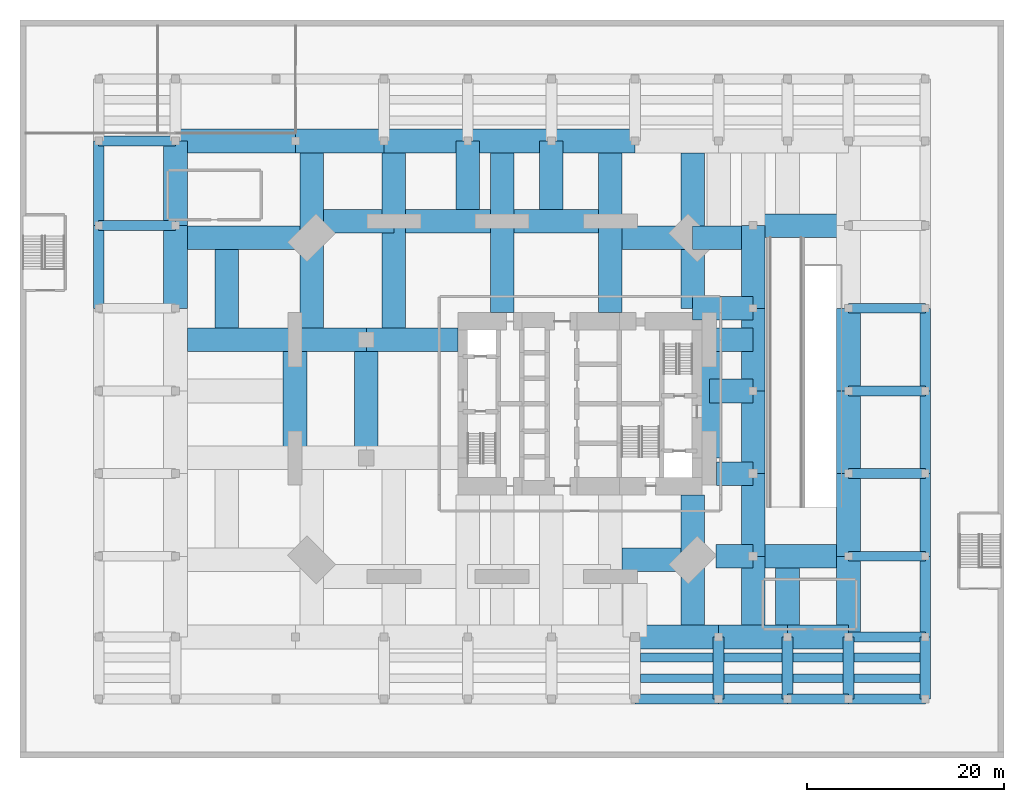
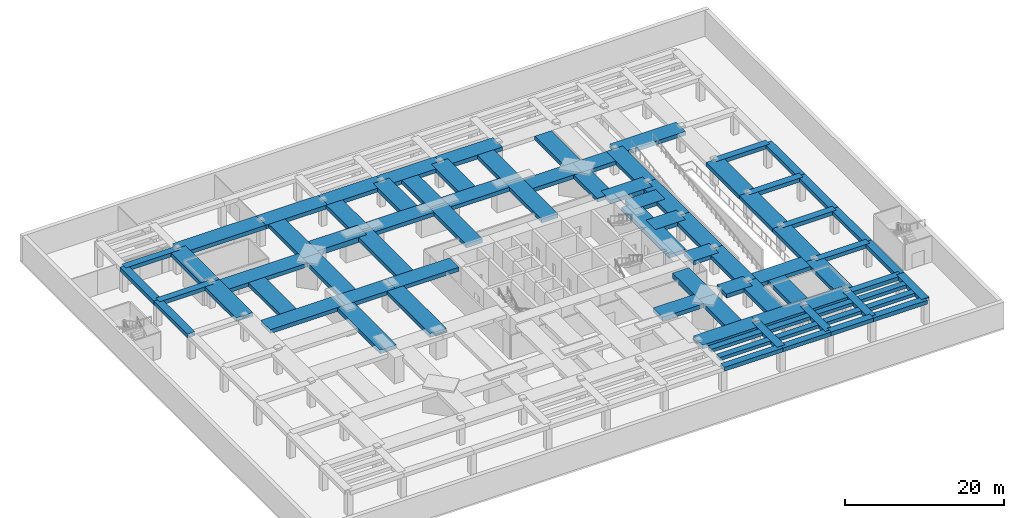
# One storey, part 2 of 10: 84 beams.
"""IFC4 building model written with IfcOpenShell, lengths in metres."""

from ifc_helpers import new_model, si_unit, direction, frame, origin, origin_2d, place, context, subcontext, project, spatial, rectangle, extrude, material, material_profile, profile_set, type_object, element, save


model = new_model("IFC4")

# Units and contexts
model_context = context("Model", 3, precision=1e-05, world=origin(), true_north=direction((0.0, 1.0)))
body_context = subcontext(model_context, "Body", "Model", "MODEL_VIEW")
ifc_project = project(units=[si_unit("LENGTHUNIT", "METRE"), si_unit("AREAUNIT", "SQUARE_METRE"), si_unit("VOLUMEUNIT", "CUBIC_METRE"), si_unit("PLANEANGLEUNIT", "RADIAN"), si_unit("MASSUNIT", "GRAM", prefix="KILO")], contexts=[model_context])

# Site, building, storey
site_placement = place(None, origin())
site = spatial("IfcSite", under=ifc_project, at=site_placement, CompositionType="ELEMENT")
building_placement = place(site_placement, origin())
building = spatial("IfcBuilding", under=site, at=building_placement, Name="Jalousie Tower", CompositionType="ELEMENT")
storey_placement = place(building_placement, frame((0.0, 0.0, -4.0)))
storey = spatial("IfcBuildingStorey", under=building, at=storey_placement, Name="B1", CompositionType="ELEMENT", Elevation=-4.0)

# Beams
ifc_material_1 = material(Name="Concrete f'c 40 MPa", Category="concrete")
ifc_material_profile_1 = material_profile(ifc_material_1, rectangle(XDim=1.0, YDim=0.60009765625, at=origin_2d()), Name="RC 1000x600")
ifc_profile_set_1 = profile_set([ifc_material_profile_1], Name="Concrete f'c 40 MPa")
beam_type_1 = type_object("IfcBeamType", Name="RC BEAM 1000x600", PredefinedType="BEAM", material=ifc_profile_set_1)
for number, where, z_axis, x_axis, name in (
    (1, (-17.0, 36.60009765625, 3.419921875), (1.0, 0.0, 0.0), (0.0, 1.0, 0.0), "Girder under L00 1-7 east-west"),
    (2, (-17.0, 45.199951171875, 3.419921875), (1.0, 0.0, 0.0), (0.0, 1.0, 0.0), "Girder under L00 1-8 east-west"),
):
    element("IfcBeam", number, at=place(storey_placement, frame(where, z_axis=z_axis, x_axis=x_axis)), inside=storey, type_object=beam_type_1, Name=name, PredefinedType="BEAM", context=body_context, shape_type="SweptSolid", body=[
        extrude(rectangle(XDim=1.0, YDim=0.60009765625, at=origin_2d()), origin(), (0.0, 0.0, 1.0), 7.800048828125),
    ])
beam_1_placement = place(storey_placement, frame((37.5, -11.5, 3.419921875), z_axis=(1.0, 0.0, 0.0), x_axis=(0.0, 1.0, 0.0)))
element("IfcBeam", 3, at=beam_1_placement, inside=storey, type_object=beam_type_1, Name="Girder under L00 7-1 east-west", PredefinedType="BEAM", context=body_context, shape_type="SweptSolid", body=[
    extrude(rectangle(XDim=1.0, YDim=0.60009765625, at=origin_2d()), origin(), (0.0, 0.0, 1.0), 8.5),
])
beam_2_placement = place(storey_placement, frame((46.0, -11.5, 3.419921875), z_axis=(1.0, 0.0, 0.0), x_axis=(0.0, 1.0, 0.0)))
element("IfcBeam", 4, at=beam_2_placement, inside=storey, type_object=beam_type_1, Name="Girder under L00 8-1 east-west", PredefinedType="BEAM", context=body_context, shape_type="SweptSolid", body=[
    extrude(rectangle(XDim=1.0, YDim=0.60009765625, at=origin_2d()), origin(), (0.0, 0.0, 1.0), 7.0),
])
beam_3_placement = place(storey_placement, frame((53.0, -11.5, 3.419921875), z_axis=(1.0, 0.0, 0.0), x_axis=(0.0, 1.0, 0.0)))
element("IfcBeam", 5, at=beam_3_placement, inside=storey, type_object=beam_type_1, Name="Girder under L00 9-1 east-west", PredefinedType="BEAM", context=body_context, shape_type="SweptSolid", body=[
    extrude(rectangle(XDim=1.0, YDim=0.60009765625, at=origin_2d()), origin(), (0.0, 0.0, 1.0), 6.199951171875),
])
for number, where, z_axis, x_axis, name in (
    (6, (59.199951171875, -11.5, 3.419921875), (1.0, 0.0, 0.0), (0.0, 1.0, 0.0), "Girder under L00 10-1 east-west"),
    (7, (59.199951171875, -5.199951171875, 3.419921875), (1.0, 0.0, 0.0), (0.0, 1.0, 0.0), "Girder under L00 10-2 east-west"),
    (8, (59.199951171875, 3.0, 3.419921875), (1.0, 0.0, 0.0), (0.0, 1.0, 0.0), "Girder under L00 10-3 east-west"),
    (9, (59.199951171875, 11.39990234375, 3.419921875), (1.0, 0.0, 0.0), (0.0, 1.0, 0.0), "Girder under L00 10-4 east-west"),
    (10, (59.199951171875, 19.800048828125, 3.419921875), (1.0, 0.0, 0.0), (0.0, 1.0, 0.0), "Girder under L00 10-5 east-west"),
    (11, (59.199951171875, 28.199951171875, 3.419921875), (1.0, 0.0, 0.0), (0.0, 1.0, 0.0), "Girder under L00 10-6 east-west"),
):
    element("IfcBeam", number, at=place(storey_placement, frame(where, z_axis=z_axis, x_axis=x_axis)), inside=storey, type_object=beam_type_1, Name=name, PredefinedType="BEAM", context=body_context, shape_type="SweptSolid", body=[
        extrude(rectangle(XDim=1.0, YDim=0.60009765625, at=origin_2d()), origin(), (0.0, 0.0, 1.0), 7.800048828125),
    ])
ifc_material_2 = material(Name="Concrete f'c 40 MPa", Category="concrete")
ifc_material_profile_2 = material_profile(ifc_material_2, rectangle(XDim=1.10009765625, YDim=0.60009765625, at=origin_2d()), Name="RC 1100x600")
ifc_profile_set_2 = profile_set([ifc_material_profile_2], Name="Concrete f'c 40 MPa")
beam_type_2 = type_object("IfcBeamType", Name="RC BEAM 1100x600", PredefinedType="BEAM", material=ifc_profile_set_2)
beam_4_placement = place(storey_placement, frame((-17.0, 28.199951171875, 3.419921875), z_axis=(0.0, 1.0, 0.0), x_axis=(-1.0, 0.0, 0.0)))
element("IfcBeam", 12, at=beam_4_placement, inside=storey, type_object=beam_type_2, Name="Girder under L00 1-6 north-south", PredefinedType="BEAM", context=body_context, shape_type="SweptSolid", body=[
    extrude(rectangle(XDim=1.10009765625, YDim=0.60009765625, at=origin_2d()), origin(), (0.0, 0.0, 1.0), 8.400146484375),
])
beam_5_placement = place(storey_placement, frame((-17.0, 36.60009765625, 3.419921875), z_axis=(0.0, 1.0, 0.0), x_axis=(-1.0, 0.0, 0.0)))
element("IfcBeam", 13, at=beam_5_placement, inside=storey, type_object=beam_type_2, Name="Girder under L00 1-7 north-south", PredefinedType="BEAM", context=body_context, shape_type="SweptSolid", body=[
    extrude(rectangle(XDim=1.10009765625, YDim=0.60009765625, at=origin_2d()), origin(), (0.0, 0.0, 1.0), 8.599853515625),
])
for number, where, z_axis, x_axis, name in (
    (14, (46.0, -11.5, 3.419921875), (0.0, 1.0, 0.0), (-1.0, 0.0, 0.0), "Girder under L00 8-1 north-south"),
    (15, (53.0, -11.5, 3.419921875), (0.0, 1.0, 0.0), (-1.0, 0.0, 0.0), "Girder under L00 9-1 north-south"),
    (16, (59.199951171875, -11.5, 3.419921875), (0.0, 1.0, 0.0), (-1.0, 0.0, 0.0), "Girder under L00 10-1 north-south"),
    (17, (67.0, -11.5, 3.419921875), (0.0, 1.0, 0.0), (-1.0, 0.0, 0.0), "Girder under L00 11-1 north-south"),
):
    element("IfcBeam", number, at=place(storey_placement, frame(where, z_axis=z_axis, x_axis=x_axis)), inside=storey, type_object=beam_type_2, Name=name, PredefinedType="BEAM", context=body_context, shape_type="SweptSolid", body=[
        extrude(rectangle(XDim=1.10009765625, YDim=0.60009765625, at=origin_2d()), origin(), (0.0, 0.0, 1.0), 6.300048828125),
    ])
beam_6_placement = place(storey_placement, frame((67.0, -5.199951171875, 3.419921875), z_axis=(0.0, 1.0, 0.0), x_axis=(-1.0, 0.0, 0.0)))
element("IfcBeam", 18, at=beam_6_placement, inside=storey, type_object=beam_type_2, Name="Girder under L00 11-2 north-south", PredefinedType="BEAM", context=body_context, shape_type="SweptSolid", body=[
    extrude(rectangle(XDim=1.10009765625, YDim=0.60009765625, at=origin_2d()), origin(), (0.0, 0.0, 1.0), 8.199951171875),
])
beam_7_placement = place(storey_placement, frame((67.0, 3.0, 3.419921875), z_axis=(0.0, 1.0, 0.0), x_axis=(-1.0, 0.0, 0.0)))
element("IfcBeam", 19, at=beam_7_placement, inside=storey, type_object=beam_type_2, Name="Girder under L00 11-3 north-south", PredefinedType="BEAM", context=body_context, shape_type="SweptSolid", body=[
    extrude(rectangle(XDim=1.10009765625, YDim=0.60009765625, at=origin_2d()), origin(), (0.0, 0.0, 1.0), 8.39990234375),
])
beam_8_placement = place(storey_placement, frame((67.0, 11.39990234375, 3.419921875), z_axis=(0.0, 1.0, 0.0), x_axis=(-1.0, 0.0, 0.0)))
element("IfcBeam", 20, at=beam_8_placement, inside=storey, type_object=beam_type_2, Name="Girder under L00 11-4 north-south", PredefinedType="BEAM", context=body_context, shape_type="SweptSolid", body=[
    extrude(rectangle(XDim=1.10009765625, YDim=0.60009765625, at=origin_2d()), origin(), (0.0, 0.0, 1.0), 8.400146484375),
])
beam_9_placement = place(storey_placement, frame((67.0, 19.800048828125, 3.419921875), z_axis=(0.0, 1.0, 0.0), x_axis=(-1.0, 0.0, 0.0)))
element("IfcBeam", 21, at=beam_9_placement, inside=storey, type_object=beam_type_2, Name="Girder under L00 11-5 north-south", PredefinedType="BEAM", context=body_context, shape_type="SweptSolid", body=[
    extrude(rectangle(XDim=1.10009765625, YDim=0.60009765625, at=origin_2d()), origin(), (0.0, 0.0, 1.0), 8.39990234375),
])
ifc_material_3 = material(Name="Concrete f'c 40 MPa", Category="concrete")
ifc_material_profile_3 = material_profile(ifc_material_3, rectangle(XDim=2.39990234375, YDim=0.60009765625, at=origin_2d()), Name="RC 2400x600")
ifc_profile_set_3 = profile_set([ifc_material_profile_3], Name="Concrete f'c 40 MPa")
beam_type_3 = type_object("IfcBeamType", Name="RC BEAM 2400x600", PredefinedType="BEAM", material=ifc_profile_set_3)
beam_10_placement = place(storey_placement, frame((45.050048828125, 13.0, 3.419921875), z_axis=(0.0, 1.0, 0.0), x_axis=(-1.0, 0.0, 0.0)))
element("IfcBeam", 22, at=beam_10_placement, inside=storey, type_object=beam_type_3, Name="Floor band beam under L00", PredefinedType="BEAM", context=body_context, shape_type="SweptSolid", body=[
    extrude(rectangle(XDim=2.39990234375, YDim=0.60009765625, at=origin_2d()), origin(), (0.0, 0.0, 1.0), 12.0),
])
for number, where, z_axis, x_axis, name in (
    (23, (35.0, 37.050048828125, 3.419921875), (-1.0, 0.0, 0.0), (0.0, -1.0, 0.0), "Floor band beam under L00"),
    (24, (24.0, 37.050048828125, 3.419921875), (-1.0, 0.0, 0.0), (0.0, -1.0, 0.0), "Floor band beam under L00"),
):
    element("IfcBeam", number, at=place(storey_placement, frame(where, z_axis=z_axis, x_axis=x_axis)), inside=storey, type_object=beam_type_3, Name=name, PredefinedType="BEAM", context=body_context, shape_type="SweptSolid", body=[
        extrude(rectangle(XDim=2.39990234375, YDim=0.60009765625, at=origin_2d()), origin(), (0.0, 0.0, 1.0), 11.0),
    ])
beam_11_placement = place(storey_placement, frame((2.949951171875, 25.0, 3.419921875), z_axis=(0.0, -1.0, 0.0), x_axis=(1.0, 0.0, 0.0)))
element("IfcBeam", 25, at=beam_11_placement, inside=storey, type_object=beam_type_3, Name="Floor band beam under L00", PredefinedType="BEAM", context=body_context, shape_type="SweptSolid", body=[
    extrude(rectangle(XDim=2.39990234375, YDim=0.60009765625, at=origin_2d()), origin(), (0.0, 0.0, 1.0), 12.0),
])
beam_12_placement = place(storey_placement, frame((-9.199951171875, 28.199951171875, 3.419921875), z_axis=(0.0, 1.0, 0.0), x_axis=(-1.0, 0.0, 0.0)))
element("IfcBeam", 26, at=beam_12_placement, inside=storey, type_object=beam_type_3, Name="Floor band beam under L00", PredefinedType="BEAM", context=body_context, shape_type="SweptSolid", body=[
    extrude(rectangle(XDim=2.39990234375, YDim=0.60009765625, at=origin_2d()), origin(), (0.0, 0.0, 1.0), 8.400146484375),
])
beam_13_placement = place(storey_placement, frame((-9.199951171875, 36.60009765625, 3.419921875), z_axis=(0.0, 1.0, 0.0), x_axis=(-1.0, 0.0, 0.0)))
element("IfcBeam", 27, at=beam_13_placement, inside=storey, type_object=beam_type_3, Name="Floor band beam under L00", PredefinedType="BEAM", context=body_context, shape_type="SweptSolid", body=[
    extrude(rectangle(XDim=2.39990234375, YDim=0.60009765625, at=origin_2d()), origin(), (0.0, 0.0, 1.0), 8.599853515625),
])
beam_14_placement = place(storey_placement, frame((-9.199951171875, 45.199951171875, 3.419921875), z_axis=(1.0, 0.0, 0.0), x_axis=(0.0, 1.0, 0.0)))
element("IfcBeam", 28, at=beam_14_placement, inside=storey, type_object=beam_type_3, Name="Floor band beam under L00", PredefinedType="BEAM", context=body_context, shape_type="SweptSolid", body=[
    extrude(rectangle(XDim=2.39990234375, YDim=0.60009765625, at=origin_2d()), origin(), (0.0, 0.0, 1.0), 12.199951171875),
])
beam_15_placement = place(storey_placement, frame((2.949951171875, 25.0, 3.419921875), z_axis=(1.0, 0.0, 0.0), x_axis=(0.0, 1.0, 0.0)))
element("IfcBeam", 29, at=beam_15_placement, inside=storey, type_object=beam_type_3, Name="Floor band beam under L00", PredefinedType="BEAM", context=body_context, shape_type="SweptSolid", body=[
    extrude(rectangle(XDim=2.39990234375, YDim=0.60009765625, at=origin_2d()), origin(), (0.0, 0.0, 1.0), 7.25),
])
beam_16_placement = place(storey_placement, frame((3.0, 45.199951171875, 3.419921875), z_axis=(1.0, 0.0, 0.0), x_axis=(0.0, 1.0, 0.0)))
element("IfcBeam", 30, at=beam_16_placement, inside=storey, type_object=beam_type_3, Name="Floor band beam under L00", PredefinedType="BEAM", context=body_context, shape_type="SweptSolid", body=[
    extrude(rectangle(XDim=2.39990234375, YDim=0.60009765625, at=origin_2d()), origin(), (0.0, 0.0, 1.0), 9.0),
])
beam_17_placement = place(storey_placement, frame((10.199951171875, 13.0, 3.419921875), z_axis=(0.0, 1.0, 0.0), x_axis=(-1.0, 0.0, 0.0)))
element("IfcBeam", 31, at=beam_17_placement, inside=storey, type_object=beam_type_3, Name="Floor band beam under L00", PredefinedType="BEAM", context=body_context, shape_type="SweptSolid", body=[
    extrude(rectangle(XDim=2.39990234375, YDim=0.60009765625, at=origin_2d()), origin(), (0.0, 0.0, 1.0), 12.0),
])
beam_18_placement = place(storey_placement, frame((10.199951171875, 25.0, 3.419921875), z_axis=(1.0, 0.0, 0.0), x_axis=(0.0, 1.0, 0.0)))
element("IfcBeam", 32, at=beam_18_placement, inside=storey, type_object=beam_type_3, Name="Floor band beam under L00", PredefinedType="BEAM", context=body_context, shape_type="SweptSolid", body=[
    extrude(rectangle(XDim=2.39990234375, YDim=0.60009765625, at=origin_2d()), origin(), (0.0, 0.0, 1.0), 9.300048828125),
])
for number, where, z_axis, x_axis, name in (
    (33, (12.0, 45.199951171875, 3.419921875), (1.0, 0.0, 0.0), (0.0, 1.0, 0.0), "Floor band beam under L00"),
    (34, (20.5, 45.199951171875, 3.419921875), (1.0, 0.0, 0.0), (0.0, 1.0, 0.0), "Floor band beam under L00"),
):
    element("IfcBeam", number, at=place(storey_placement, frame(where, z_axis=z_axis, x_axis=x_axis)), inside=storey, type_object=beam_type_3, Name=name, PredefinedType="BEAM", context=body_context, shape_type="SweptSolid", body=[
        extrude(rectangle(XDim=2.39990234375, YDim=0.60009765625, at=origin_2d()), origin(), (0.0, 0.0, 1.0), 8.5),
    ])
beam_19_placement = place(storey_placement, frame((24.0, 37.050048828125, 3.419921875), z_axis=(0.0, -1.0, 0.0), x_axis=(1.0, 0.0, 0.0)))
element("IfcBeam", 35, at=beam_19_placement, inside=storey, type_object=beam_type_3, Name="Floor band beam under L00", PredefinedType="BEAM", context=body_context, shape_type="SweptSolid", body=[
    extrude(rectangle(XDim=2.39990234375, YDim=0.60009765625, at=origin_2d()), origin(), (0.0, 0.0, 1.0), 9.300048828125),
])
beam_20_placement = place(storey_placement, frame((29.0, 45.199951171875, 3.419921875), z_axis=(1.0, 0.0, 0.0), x_axis=(0.0, 1.0, 0.0)))
element("IfcBeam", 36, at=beam_20_placement, inside=storey, type_object=beam_type_3, Name="Floor band beam under L00", PredefinedType="BEAM", context=body_context, shape_type="SweptSolid", body=[
    extrude(rectangle(XDim=2.39990234375, YDim=0.60009765625, at=origin_2d()), origin(), (0.0, 0.0, 1.0), 8.5),
])
beam_21_placement = place(storey_placement, frame((35.0, 37.050048828125, 3.419921875), z_axis=(0.0, -1.0, 0.0), x_axis=(1.0, 0.0, 0.0)))
element("IfcBeam", 37, at=beam_21_placement, inside=storey, type_object=beam_type_3, Name="Floor band beam under L00", PredefinedType="BEAM", context=body_context, shape_type="SweptSolid", body=[
    extrude(rectangle(XDim=2.39990234375, YDim=0.60009765625, at=origin_2d()), origin(), (0.0, 0.0, 1.0), 9.300048828125),
])
beam_22_placement = place(storey_placement, frame((37.5, -5.199951171875, 3.419921875), z_axis=(1.0, 0.0, 0.0), x_axis=(0.0, 1.0, 0.0)))
element("IfcBeam", 38, at=beam_22_placement, inside=storey, type_object=beam_type_3, Name="Floor band beam under L00", PredefinedType="BEAM", context=body_context, shape_type="SweptSolid", body=[
    extrude(rectangle(XDim=2.39990234375, YDim=0.60009765625, at=origin_2d()), origin(), (0.0, 0.0, 1.0), 8.5),
])
beam_23_placement = place(storey_placement, frame((43.36865234375, 35.36865234375, 3.419921875), z_axis=(0.0, -1.0, 0.0), x_axis=(1.0, 0.0, 0.0)))
element("IfcBeam", 39, at=beam_23_placement, inside=storey, type_object=beam_type_3, Name="Floor band beam under L00", PredefinedType="BEAM", context=body_context, shape_type="SweptSolid", body=[
    extrude(rectangle(XDim=2.39990234375, YDim=0.60009765625, at=origin_2d()), origin(), (0.0, 0.0, 1.0), 7.168701171875),
])
beam_24_placement = place(storey_placement, frame((46.0, -5.199951171875, 3.419921875), z_axis=(1.0, 0.0, 0.0), x_axis=(0.0, 1.0, 0.0)))
element("IfcBeam", 40, at=beam_24_placement, inside=storey, type_object=beam_type_3, Name="Floor band beam under L00", PredefinedType="BEAM", context=body_context, shape_type="SweptSolid", body=[
    extrude(rectangle(XDim=2.39990234375, YDim=0.60009765625, at=origin_2d()), origin(), (0.0, 0.0, 1.0), 7.0),
])
beam_25_placement = place(storey_placement, frame((49.5, 3.0, 3.419921875), z_axis=(1.0, 0.0, 0.0), x_axis=(0.0, 1.0, 0.0)))
element("IfcBeam", 41, at=beam_25_placement, inside=storey, type_object=beam_type_3, Name="Floor band beam under L00", PredefinedType="BEAM", context=body_context, shape_type="SweptSolid", body=[
    extrude(rectangle(XDim=2.39990234375, YDim=0.60009765625, at=origin_2d()), origin(), (0.0, 0.0, 1.0), 9.699951171875),
])
beam_26_placement = place(storey_placement, frame((49.5, 3.0, 3.419921875), z_axis=(0.0, 1.0, 0.0), x_axis=(-1.0, 0.0, 0.0)))
element("IfcBeam", 42, at=beam_26_placement, inside=storey, type_object=beam_type_3, Name="Floor band beam under L00", PredefinedType="BEAM", context=body_context, shape_type="SweptSolid", body=[
    extrude(rectangle(XDim=2.39990234375, YDim=0.60009765625, at=origin_2d()), origin(), (0.0, 0.0, 1.0), 8.39990234375),
])
beam_27_placement = place(storey_placement, frame((49.5, 11.39990234375, 3.419921875), z_axis=(-1.0, 0.0, 0.0), x_axis=(0.0, -1.0, 0.0)))
element("IfcBeam", 43, at=beam_27_placement, inside=storey, type_object=beam_type_3, Name="Floor band beam under L00", PredefinedType="BEAM", context=body_context, shape_type="SweptSolid", body=[
    extrude(rectangle(XDim=2.39990234375, YDim=0.60009765625, at=origin_2d()), origin(), (0.0, 0.0, 1.0), 3.72509765625),
])
beam_28_placement = place(storey_placement, frame((49.5, 11.39990234375, 3.419921875), z_axis=(0.0, 1.0, 0.0), x_axis=(-1.0, 0.0, 0.0)))
element("IfcBeam", 44, at=beam_28_placement, inside=storey, type_object=beam_type_3, Name="Floor band beam under L00", PredefinedType="BEAM", context=body_context, shape_type="SweptSolid", body=[
    extrude(rectangle(XDim=2.39990234375, YDim=0.60009765625, at=origin_2d()), origin(), (0.0, 0.0, 1.0), 8.400146484375),
])
beam_29_placement = place(storey_placement, frame((49.5, 19.800048828125, 3.419921875), z_axis=(-1.0, 0.0, 0.0), x_axis=(0.0, -1.0, 0.0)))
element("IfcBeam", 45, at=beam_29_placement, inside=storey, type_object=beam_type_3, Name="Floor band beam under L00", PredefinedType="BEAM", context=body_context, shape_type="SweptSolid", body=[
    extrude(rectangle(XDim=2.39990234375, YDim=0.60009765625, at=origin_2d()), origin(), (0.0, 0.0, 1.0), 4.449951171875),
])
beam_30_placement = place(storey_placement, frame((49.5, 19.800048828125, 3.419921875), z_axis=(0.0, 1.0, 0.0), x_axis=(-1.0, 0.0, 0.0)))
element("IfcBeam", 46, at=beam_30_placement, inside=storey, type_object=beam_type_3, Name="Floor band beam under L00", PredefinedType="BEAM", context=body_context, shape_type="SweptSolid", body=[
    extrude(rectangle(XDim=2.39990234375, YDim=0.60009765625, at=origin_2d()), origin(), (0.0, 0.0, 1.0), 8.39990234375),
])
beam_31_placement = place(storey_placement, frame((49.5, 28.199951171875, 3.419921875), z_axis=(0.0, 1.0, 0.0), x_axis=(-1.0, 0.0, 0.0)))
element("IfcBeam", 47, at=beam_31_placement, inside=storey, type_object=beam_type_3, Name="Floor band beam under L00", PredefinedType="BEAM", context=body_context, shape_type="SweptSolid", body=[
    extrude(rectangle(XDim=2.39990234375, YDim=0.60009765625, at=origin_2d()), origin(), (0.0, 0.0, 1.0), 8.400146484375),
])
beam_32_placement = place(storey_placement, frame((49.5, 36.60009765625, 3.419921875), z_axis=(1.0, 0.0, 0.0), x_axis=(0.0, 1.0, 0.0)))
element("IfcBeam", 48, at=beam_32_placement, inside=storey, type_object=beam_type_3, Name="Floor band beam under L00", PredefinedType="BEAM", context=body_context, shape_type="SweptSolid", body=[
    extrude(rectangle(XDim=2.39990234375, YDim=0.60009765625, at=origin_2d()), origin(), (0.0, 0.0, 1.0), 9.699951171875),
])
beam_33_placement = place(storey_placement, frame((53.0, -5.199951171875, 3.419921875), z_axis=(1.0, 0.0, 0.0), x_axis=(0.0, 1.0, 0.0)))
element("IfcBeam", 49, at=beam_33_placement, inside=storey, type_object=beam_type_3, Name="Floor band beam under L00", PredefinedType="BEAM", context=body_context, shape_type="SweptSolid", body=[
    extrude(rectangle(XDim=2.39990234375, YDim=0.60009765625, at=origin_2d()), origin(), (0.0, 0.0, 1.0), 6.199951171875),
])
beam_34_placement = place(storey_placement, frame((59.199951171875, -5.199951171875, 3.419921875), z_axis=(0.0, 1.0, 0.0), x_axis=(-1.0, 0.0, 0.0)))
element("IfcBeam", 50, at=beam_34_placement, inside=storey, type_object=beam_type_3, Name="Floor band beam under L00", PredefinedType="BEAM", context=body_context, shape_type="SweptSolid", body=[
    extrude(rectangle(XDim=2.39990234375, YDim=0.60009765625, at=origin_2d()), origin(), (0.0, 0.0, 1.0), 8.199951171875),
])
beam_35_placement = place(storey_placement, frame((59.199951171875, 3.0, 3.419921875), z_axis=(0.0, 1.0, 0.0), x_axis=(-1.0, 0.0, 0.0)))
element("IfcBeam", 51, at=beam_35_placement, inside=storey, type_object=beam_type_3, Name="Floor band beam under L00", PredefinedType="BEAM", context=body_context, shape_type="SweptSolid", body=[
    extrude(rectangle(XDim=2.39990234375, YDim=0.60009765625, at=origin_2d()), origin(), (0.0, 0.0, 1.0), 8.39990234375),
])
beam_36_placement = place(storey_placement, frame((59.199951171875, 11.39990234375, 3.419921875), z_axis=(0.0, 1.0, 0.0), x_axis=(-1.0, 0.0, 0.0)))
element("IfcBeam", 52, at=beam_36_placement, inside=storey, type_object=beam_type_3, Name="Floor band beam under L00", PredefinedType="BEAM", context=body_context, shape_type="SweptSolid", body=[
    extrude(rectangle(XDim=2.39990234375, YDim=0.60009765625, at=origin_2d()), origin(), (0.0, 0.0, 1.0), 8.400146484375),
])
beam_37_placement = place(storey_placement, frame((59.199951171875, 19.800048828125, 3.419921875), z_axis=(0.0, 1.0, 0.0), x_axis=(-1.0, 0.0, 0.0)))
element("IfcBeam", 53, at=beam_37_placement, inside=storey, type_object=beam_type_3, Name="Floor band beam under L00", PredefinedType="BEAM", context=body_context, shape_type="SweptSolid", body=[
    extrude(rectangle(XDim=2.39990234375, YDim=0.60009765625, at=origin_2d()), origin(), (0.0, 0.0, 1.0), 8.39990234375),
])
beam_38_placement = place(storey_placement, frame((2.949951171875, 25.0, 3.419921875), z_axis=(-1.0, 0.0, 0.0), x_axis=(0.0, -1.0, 0.0)))
element("IfcBeam", 54, at=beam_38_placement, inside=storey, type_object=beam_type_3, Name="Floor band beam under L00", PredefinedType="BEAM", context=body_context, shape_type="SweptSolid", body=[
    extrude(rectangle(XDim=2.39990234375, YDim=0.60009765625, at=origin_2d()), origin(), (0.0, 0.0, 1.0), 10.949951171875),
])
beam_39_placement = place(storey_placement, frame((4.63134765625, 35.36865234375, 3.419921875), z_axis=(-1.0, 0.0, 0.0), x_axis=(0.0, -1.0, 0.0)))
element("IfcBeam", 55, at=beam_39_placement, inside=storey, type_object=beam_type_3, Name="Floor band beam under L00", PredefinedType="BEAM", context=body_context, shape_type="SweptSolid", body=[
    extrude(rectangle(XDim=2.39990234375, YDim=0.60009765625, at=origin_2d()), origin(), (0.0, 0.0, 1.0), 12.63134765625),
])
beam_40_placement = place(storey_placement, frame((4.63134765625, 35.36865234375, 3.419921875), z_axis=(0.0, 1.0, 0.0), x_axis=(-1.0, 0.0, 0.0)))
element("IfcBeam", 56, at=beam_40_placement, inside=storey, type_object=beam_type_3, Name="Floor band beam under L00", PredefinedType="BEAM", context=body_context, shape_type="SweptSolid", body=[
    extrude(rectangle(XDim=2.39990234375, YDim=0.60009765625, at=origin_2d()), origin(), (0.0, 0.0, 1.0), 8.63134765625),
])
beam_41_placement = place(storey_placement, frame((4.63134765625, 35.36865234375, 3.419921875), z_axis=(0.0, -1.0, 0.0), x_axis=(1.0, 0.0, 0.0)))
element("IfcBeam", 57, at=beam_41_placement, inside=storey, type_object=beam_type_3, Name="Floor band beam under L00", PredefinedType="BEAM", context=body_context, shape_type="SweptSolid", body=[
    extrude(rectangle(XDim=2.39990234375, YDim=0.60009765625, at=origin_2d()), origin(), (0.0, 0.0, 1.0), 9.168701171875),
])
beam_42_placement = place(storey_placement, frame((13.0, 37.050048828125, 3.419921875), z_axis=(0.0, 1.0, 0.0), x_axis=(-1.0, 0.0, 0.0)))
element("IfcBeam", 58, at=beam_42_placement, inside=storey, type_object=beam_type_3, Name="Floor band beam under L00", PredefinedType="BEAM", context=body_context, shape_type="SweptSolid", body=[
    extrude(rectangle(XDim=2.39990234375, YDim=0.60009765625, at=origin_2d()), origin(), (0.0, 0.0, 1.0), 6.949951171875),
])
beam_43_placement = place(storey_placement, frame((13.0, 37.050048828125, 3.419921875), z_axis=(0.0, -1.0, 0.0), x_axis=(1.0, 0.0, 0.0)))
element("IfcBeam", 59, at=beam_43_placement, inside=storey, type_object=beam_type_3, Name="Floor band beam under L00", PredefinedType="BEAM", context=body_context, shape_type="SweptSolid", body=[
    extrude(rectangle(XDim=2.39990234375, YDim=0.60009765625, at=origin_2d()), origin(), (0.0, 0.0, 1.0), 10.85009765625),
])
for number, where, z_axis, x_axis, name in (
    (60, (20.5, 45.199951171875, 3.419921875), (0.0, -1.0, 0.0), (1.0, 0.0, 0.0), "Floor band beam under L00"),
    (61, (24.0, 37.050048828125, 3.419921875), (0.0, 1.0, 0.0), (-1.0, 0.0, 0.0), "Floor band beam under L00"),
    (62, (29.0, 45.199951171875, 3.419921875), (0.0, -1.0, 0.0), (1.0, 0.0, 0.0), "Floor band beam under L00"),
    (63, (35.0, 37.050048828125, 3.419921875), (0.0, 1.0, 0.0), (-1.0, 0.0, 0.0), "Floor band beam under L00"),
):
    element("IfcBeam", number, at=place(storey_placement, frame(where, z_axis=z_axis, x_axis=x_axis)), inside=storey, type_object=beam_type_3, Name=name, PredefinedType="BEAM", context=body_context, shape_type="SweptSolid", body=[
        extrude(rectangle(XDim=2.39990234375, YDim=0.60009765625, at=origin_2d()), origin(), (0.0, 0.0, 1.0), 6.949951171875),
    ])
beam_44_placement = place(storey_placement, frame((43.36865234375, 2.63134765625, 3.419921875), z_axis=(-1.0, 0.0, 0.0), x_axis=(0.0, -1.0, 0.0)))
element("IfcBeam", 64, at=beam_44_placement, inside=storey, type_object=beam_type_3, Name="Floor band beam under L00", PredefinedType="BEAM", context=body_context, shape_type="SweptSolid", body=[
    extrude(rectangle(XDim=2.39990234375, YDim=0.60009765625, at=origin_2d()), origin(), (0.0, 0.0, 1.0), 7.168701171875),
])
beam_45_placement = place(storey_placement, frame((43.36865234375, 2.63134765625, 3.419921875), z_axis=(0.0, -1.0, 0.0), x_axis=(1.0, 0.0, 0.0)))
element("IfcBeam", 65, at=beam_45_placement, inside=storey, type_object=beam_type_3, Name="Floor band beam under L00", PredefinedType="BEAM", context=body_context, shape_type="SweptSolid", body=[
    extrude(rectangle(XDim=2.39990234375, YDim=0.60009765625, at=origin_2d()), origin(), (0.0, 0.0, 1.0), 6.63134765625),
])
beam_46_placement = place(storey_placement, frame((43.36865234375, 35.36865234375, 3.419921875), z_axis=(1.0, 0.0, 0.0), x_axis=(0.0, 1.0, 0.0)))
element("IfcBeam", 66, at=beam_46_placement, inside=storey, type_object=beam_type_3, Name="Floor band beam under L00", PredefinedType="BEAM", context=body_context, shape_type="SweptSolid", body=[
    extrude(rectangle(XDim=2.39990234375, YDim=0.60009765625, at=origin_2d()), origin(), (0.0, 0.0, 1.0), 4.931396484375),
])
beam_47_placement = place(storey_placement, frame((43.36865234375, 35.36865234375, 3.419921875), z_axis=(-1.0, 0.0, 0.0), x_axis=(0.0, -1.0, 0.0)))
element("IfcBeam", 67, at=beam_47_placement, inside=storey, type_object=beam_type_3, Name="Floor band beam under L00", PredefinedType="BEAM", context=body_context, shape_type="SweptSolid", body=[
    extrude(rectangle(XDim=2.39990234375, YDim=0.60009765625, at=origin_2d()), origin(), (0.0, 0.0, 1.0), 7.168701171875),
])
beam_48_placement = place(storey_placement, frame((43.36865234375, 35.36865234375, 3.419921875), z_axis=(0.0, 1.0, 0.0), x_axis=(-1.0, 0.0, 0.0)))
element("IfcBeam", 68, at=beam_48_placement, inside=storey, type_object=beam_type_3, Name="Floor band beam under L00", PredefinedType="BEAM", context=body_context, shape_type="SweptSolid", body=[
    extrude(rectangle(XDim=2.39990234375, YDim=0.60009765625, at=origin_2d()), origin(), (0.0, 0.0, 1.0), 8.63134765625),
])
beam_49_placement = place(storey_placement, frame((45.050048828125, 25.0, 3.419921875), z_axis=(1.0, 0.0, 0.0), x_axis=(0.0, 1.0, 0.0)))
element("IfcBeam", 69, at=beam_49_placement, inside=storey, type_object=beam_type_3, Name="Floor band beam under L00", PredefinedType="BEAM", context=body_context, shape_type="SweptSolid", body=[
    extrude(rectangle(XDim=2.39990234375, YDim=0.60009765625, at=origin_2d()), origin(), (0.0, 0.0, 1.0), 4.449951171875),
])
beam_50_placement = place(storey_placement, frame((49.5, 3.0, 3.419921875), z_axis=(-1.0, 0.0, 0.0), x_axis=(0.0, -1.0, 0.0)))
element("IfcBeam", 70, at=beam_50_placement, inside=storey, type_object=beam_type_3, Name="Floor band beam under L00", PredefinedType="BEAM", context=body_context, shape_type="SweptSolid", body=[
    extrude(rectangle(XDim=2.39990234375, YDim=0.60009765625, at=origin_2d()), origin(), (0.0, 0.0, 1.0), 3.782958984375),
])
beam_51_placement = place(storey_placement, frame((49.5, 3.0, 3.419921875), z_axis=(0.0, -1.0, 0.0), x_axis=(1.0, 0.0, 0.0)))
element("IfcBeam", 71, at=beam_51_placement, inside=storey, type_object=beam_type_3, Name="Floor band beam under L00", PredefinedType="BEAM", context=body_context, shape_type="SweptSolid", body=[
    extrude(rectangle(XDim=2.39990234375, YDim=0.60009765625, at=origin_2d()), origin(), (0.0, 0.0, 1.0), 7.0),
])
beam_52_placement = place(storey_placement, frame((49.5, 28.199951171875, 3.419921875), z_axis=(-1.0, 0.0, 0.0), x_axis=(0.0, -1.0, 0.0)))
element("IfcBeam", 72, at=beam_52_placement, inside=storey, type_object=beam_type_3, Name="Floor band beam under L00", PredefinedType="BEAM", context=body_context, shape_type="SweptSolid", body=[
    extrude(rectangle(XDim=2.39990234375, YDim=0.60009765625, at=origin_2d()), origin(), (0.0, 0.0, 1.0), 6.13134765625),
])
beam_53_placement = place(storey_placement, frame((53.0, -5.199951171875, 3.419921875), z_axis=(0.0, 1.0, 0.0), x_axis=(-1.0, 0.0, 0.0)))
element("IfcBeam", 73, at=beam_53_placement, inside=storey, type_object=beam_type_3, Name="Floor band beam under L00", PredefinedType="BEAM", context=body_context, shape_type="SweptSolid", body=[
    extrude(rectangle(XDim=2.39990234375, YDim=0.60009765625, at=origin_2d()), origin(), (0.0, 0.0, 1.0), 7.0),
])
beam_54_placement = place(storey_placement, frame((-4.0, 26.199951171875, 3.419921875), z_axis=(0.0, 1.0, 0.0), x_axis=(-1.0, 0.0, 0.0)))
element("IfcBeam", 74, at=beam_54_placement, inside=storey, type_object=beam_type_3, Name="Floor band beam under L00", PredefinedType="BEAM", context=body_context, shape_type="SweptSolid", body=[
    extrude(rectangle(XDim=2.39990234375, YDim=0.60009765625, at=origin_2d()), origin(), (0.0, 0.0, 1.0), 7.96875),
])
ifc_material_4 = material(Name="Concrete f'c 40 MPa", Category="concrete")
ifc_material_profile_4 = material_profile(ifc_material_4, rectangle(XDim=2.39990234375, YDim=0.800048828125, at=origin_2d()), Name="RC 2400x800")
ifc_profile_set_4 = profile_set([ifc_material_profile_4], Name="Concrete f'c 40 MPa")
beam_type_4 = type_object("IfcBeamType", Name="RC BEAM 2400x800", PredefinedType="BEAM", material=ifc_profile_set_4)
beam_55_placement = place(storey_placement, frame((43.36865234375, 2.63134765625, 3.320068359375), z_axis=(0.0, 1.0, 0.0), x_axis=(-1.0, 0.0, 0.0)))
element("IfcBeam", 75, at=beam_55_placement, inside=storey, type_object=beam_type_4, Name="Floor band beam under L00", PredefinedType="BEAM", context=body_context, shape_type="SweptSolid", body=[
    extrude(rectangle(XDim=2.39990234375, YDim=0.800048828125, at=origin_2d()), origin(), (0.0, 0.0, 1.0), 6.61865234375),
])
beam_56_placement = place(storey_placement, frame((13.0, 37.050048828125, 3.320068359375), z_axis=(-1.0, 0.0, 0.0), x_axis=(0.0, -1.0, 0.0)))
element("IfcBeam", 76, at=beam_56_placement, inside=storey, type_object=beam_type_4, Name="Floor band beam under L00", PredefinedType="BEAM", context=body_context, shape_type="SweptSolid", body=[
    extrude(rectangle(XDim=2.39990234375, YDim=0.800048828125, at=origin_2d()), origin(), (0.0, 0.0, 1.0), 7.15087890625),
])
ifc_material_5 = material(Name="Concrete f'c 40 MPa", Category="concrete")
ifc_material_profile_5 = material_profile(ifc_material_5, rectangle(XDim=0.89990234375, YDim=0.5, at=origin_2d()), Name="RC 900x500")
ifc_profile_set_5 = profile_set([ifc_material_profile_5], Name="Concrete f'c 40 MPa")
beam_type_5 = type_object("IfcBeamType", Name="RC BEAM 900x500", PredefinedType="BEAM", material=ifc_profile_set_5)
for number, where, z_axis, x_axis, name in (
    (77, (38.050048828125, -9.39990234375, 3.469970703125), (1.0, 0.0, 0.0), (0.0, 1.0, 0.0), "Secondary beam 1 under L00 bay 7-1"),
    (78, (38.050048828125, -7.300048828125, 3.469970703125), (1.0, 0.0, 0.0), (0.0, 1.0, 0.0), "Secondary beam 2 under L00 bay 7-1"),
):
    element("IfcBeam", number, at=place(storey_placement, frame(where, z_axis=z_axis, x_axis=x_axis)), inside=storey, type_object=beam_type_5, Name=name, PredefinedType="BEAM", context=body_context, shape_type="SweptSolid", body=[
        extrude(rectangle(XDim=0.89990234375, YDim=0.5, at=origin_2d()), origin(), (0.0, 0.0, 1.0), 7.39990234375),
    ])
for number, where, z_axis, x_axis, name in (
    (79, (46.550048828125, -9.39990234375, 3.469970703125), (1.0, 0.0, 0.0), (0.0, 1.0, 0.0), "Secondary beam 1 under L00 bay 8-1"),
    (80, (46.550048828125, -7.300048828125, 3.469970703125), (1.0, 0.0, 0.0), (0.0, 1.0, 0.0), "Secondary beam 2 under L00 bay 8-1"),
):
    element("IfcBeam", number, at=place(storey_placement, frame(where, z_axis=z_axis, x_axis=x_axis)), inside=storey, type_object=beam_type_5, Name=name, PredefinedType="BEAM", context=body_context, shape_type="SweptSolid", body=[
        extrude(rectangle(XDim=0.89990234375, YDim=0.5, at=origin_2d()), origin(), (0.0, 0.0, 1.0), 5.89990234375),
    ])
for number, where, z_axis, x_axis, name in (
    (81, (53.550048828125, -9.39990234375, 3.469970703125), (1.0, 0.0, 0.0), (0.0, 1.0, 0.0), "Secondary beam 1 under L00 bay 9-1"),
    (82, (53.550048828125, -7.300048828125, 3.469970703125), (1.0, 0.0, 0.0), (0.0, 1.0, 0.0), "Secondary beam 2 under L00 bay 9-1"),
):
    element("IfcBeam", number, at=place(storey_placement, frame(where, z_axis=z_axis, x_axis=x_axis)), inside=storey, type_object=beam_type_5, Name=name, PredefinedType="BEAM", context=body_context, shape_type="SweptSolid", body=[
        extrude(rectangle(XDim=0.89990234375, YDim=0.5, at=origin_2d()), origin(), (0.0, 0.0, 1.0), 5.099853515625),
    ])
for number, where, z_axis, x_axis, name in (
    (83, (59.75, -9.39990234375, 3.469970703125), (1.0, 0.0, 0.0), (0.0, 1.0, 0.0), "Secondary beam 1 under L00 bay 10-1"),
    (84, (59.75, -7.300048828125, 3.469970703125), (1.0, 0.0, 0.0), (0.0, 1.0, 0.0), "Secondary beam 2 under L00 bay 10-1"),
):
    element("IfcBeam", number, at=place(storey_placement, frame(where, z_axis=z_axis, x_axis=x_axis)), inside=storey, type_object=beam_type_5, Name=name, PredefinedType="BEAM", context=body_context, shape_type="SweptSolid", body=[
        extrude(rectangle(XDim=0.89990234375, YDim=0.5, at=origin_2d()), origin(), (0.0, 0.0, 1.0), 6.699951171875),
    ])

save(model, "model.ifc")
